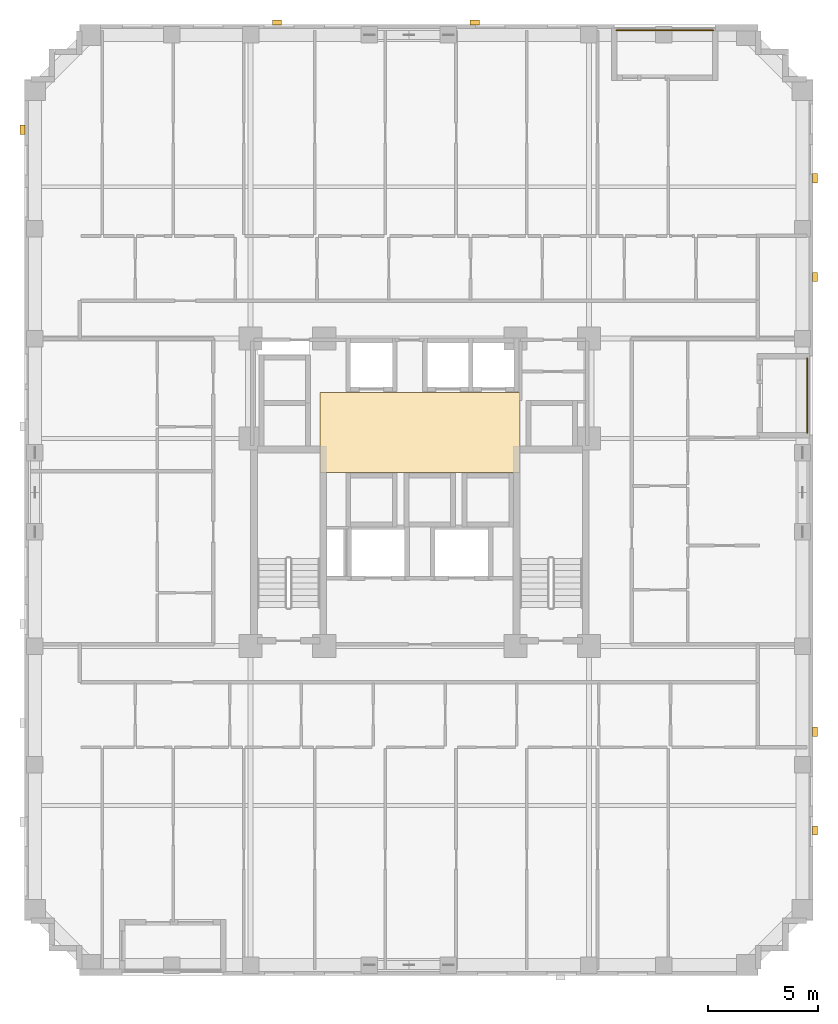
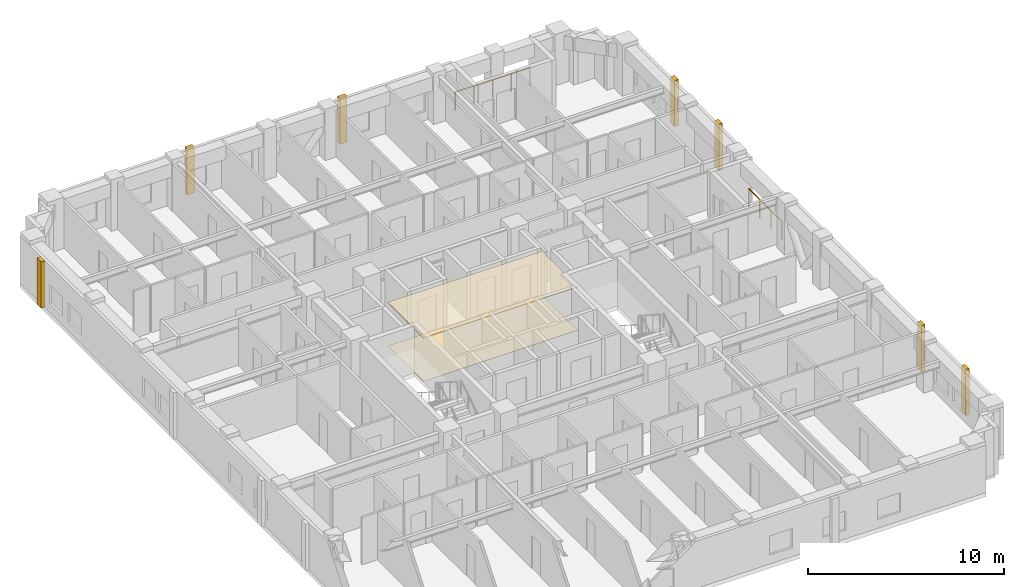
# One storey, part 13 of 13: 9 coverings, 2 railings.
"""IFC4 building model written with IfcOpenShell, lengths in metres."""

from ifc_helpers import new_model, si_unit, derived_unit, direction, frame, origin, origin_2d, place, context, subcontext, project, spatial, polyline, rectangle, circle, outline, extrude, material, layer, layer_set, type_object, element, save


model = new_model("IFC4")

# Units and contexts
model_context = context("Model", 3, precision=1e-05, world=origin(), true_north=direction((0.0, 1.0)))
body_context = subcontext(model_context, "Body", "Model", "MODEL_VIEW")
ifc_project = project(units=[si_unit("LENGTHUNIT", "METRE"), si_unit("AREAUNIT", "SQUARE_METRE"), si_unit("VOLUMEUNIT", "CUBIC_METRE"), si_unit("PLANEANGLEUNIT", "RADIAN"), si_unit("MASSUNIT", "GRAM", prefix="KILO"), derived_unit("THERMALTRANSMITTANCEUNIT", [(si_unit("MASSUNIT", "GRAM", prefix="KILO"), 1), (si_unit("TIMEUNIT", "SECOND"), -3), (si_unit("THERMODYNAMICTEMPERATUREUNIT", "KELVIN"), -1)])], contexts=[model_context])

# Site, building, storey
site_placement = place(None, origin())
site = spatial("IfcSite", under=ifc_project, at=site_placement, CompositionType="ELEMENT")
building_placement = place(site_placement, origin())
building = spatial("IfcBuilding", under=site, at=building_placement, Name="Korrvale Station Residences", CompositionType="ELEMENT")
storey_placement = place(building_placement, frame((0.0, 0.0, 97.5)))
storey = spatial("IfcBuildingStorey", under=building, at=storey_placement, Name="L27", CompositionType="ELEMENT", Elevation=97.5)

# Coverings
ifc_material_1 = material(Name="Perforated acoustic mineral-fibre suspended ceiling", Category="gypsum")
ifc_layer_1 = layer(ifc_material_1, 0.050048828125, Name="Perforated acoustic mineral-fibre suspended ceiling")
ifc_layer_set_1 = layer_set([ifc_layer_1], Name="Perforated acoustic mineral-fibre suspended ceiling")
covering_type_1 = type_object("IfcCoveringType", Name="COV-CLG-AC60", PredefinedType="CEILING", material=ifc_layer_set_1)
covering_1_placement = place(storey_placement, frame((0.0, 0.0, 2.68994140625)))
element("IfcCovering", 1, at=covering_1_placement, inside=storey, type_object=covering_type_1, Name="L27 Elevator Lobby Acoustic Ceiling", PredefinedType="CEILING", context=body_context, shape_type="SweptSolid", body=[
    extrude(outline(polyline([(20.949951171875, 22.89990234375), (30.050048828125, 22.89990234375), (30.050048828125, 26.550048828125), (20.949951171875, 26.550048828125), (20.949951171875, 22.89990234375)])), origin(), (0.0, 0.0, 1.0), 0.050048828125),
])
ifc_material_2 = material(Name="Polished quartz-terrazzo lobby flooring", Category="masonry")
ifc_layer_2 = layer(ifc_material_2, 0.02001953125, Name="Polished quartz-terrazzo lobby flooring")
ifc_layer_set_2 = layer_set([ifc_layer_2], Name="Polished quartz-terrazzo lobby flooring")
covering_type_2 = type_object("IfcCoveringType", Name="COV-FLR-TER20", PredefinedType="FLOORING", material=ifc_layer_set_2)
covering_2_placement = place(storey_placement, origin())
element("IfcCovering", 2, at=covering_2_placement, inside=storey, type_object=covering_type_2, Name="L27 Elevator Lobby Terrazzo Flooring", PredefinedType="FLOORING", context=body_context, shape_type="SweptSolid", body=[
    extrude(outline(polyline([(20.949951171875, 22.89990234375), (30.050048828125, 22.89990234375), (30.050048828125, 26.550048828125), (20.949951171875, 26.550048828125), (20.949951171875, 22.89990234375)])), origin(), (0.0, 0.0, 1.0), 0.02001953125),
])
ifc_material_3 = material(Name="Architectural precast concrete C45/55", Category="concrete")
ifc_layer_3 = layer(ifc_material_3, 0.219970703125, Name="Architectural precast concrete C45/55")
ifc_layer_set_3 = layer_set([ifc_layer_3], Name="Architectural precast concrete C45/55")
covering_type_3 = type_object("IfcCoveringType", Name="COV-PIER-400", PredefinedType="CLADDING", material=ifc_layer_set_3)
for number, where, z_axis, x_axis, name in (
    (3, (19.0, 43.389892578125, 0.02490234375), (0.0, 0.0, 1.0), (1.0, 0.0, 0.0), "L27 Architectural Precast Facade Pier 02"),
    (4, (28.0, 43.389892578125, 0.02490234375), (0.0, 0.0, 1.0), (1.0, 0.0, 0.0), "L27 Architectural Precast Facade Pier 03"),
    (5, (7.409912109375, 38.5, 0.02490234375), (0.0, 0.0, 1.0), (0.0, 1.0, 0.0), "L27 Architectural Precast Facade Pier 08"),
    (6, (43.489990234375, 36.300048828125, 0.02490234375), (0.0, 0.0, 1.0), (0.0, 1.0, 0.0), "L27 Architectural Precast Facade Pier 09"),
    (7, (43.489990234375, 31.800048828125, 0.02490234375), (0.0, 0.0, 1.0), (0.0, 1.0, 0.0), "L27 Architectural Precast Facade Pier 10"),
    (8, (43.489990234375, 11.10009765625, 0.02490234375), (0.0, 0.0, 1.0), (0.0, 1.0, 0.0), "L27 Architectural Precast Facade Pier 11"),
    (9, (43.489990234375, 6.60009765625, 0.02490234375), (0.0, 0.0, 1.0), (0.0, 1.0, 0.0), "L27 Architectural Precast Facade Pier 12"),
):
    element("IfcCovering", number, at=place(storey_placement, frame(where, z_axis=z_axis, x_axis=x_axis)), inside=storey, type_object=covering_type_3, Name=name, PredefinedType="CLADDING", context=body_context, shape_type="SweptSolid", body=[
        extrude(rectangle(XDim=0.419921875, YDim=0.219970703125, at=origin_2d()), origin(), (0.0, 0.0, 1.0), 2.889892578125),
    ])

# Railings
ifc_material_4 = material(Name="Powder-coated aluminium picket loggia guard", Category="aluminium")
railing_type = type_object("IfcRailingType", Name="RLG-BAL-1150", PredefinedType="GUARDRAIL", material=ifc_material_4)
railing_1_placement = place(storey_placement, frame((34.449951171875, 43.030029296875, 0.0)))
element("IfcRailing", 10, at=railing_1_placement, inside=storey, type_object=railing_type, Name="L27 Recessed Loggia Guardrail BAL-L27-N1", PredefinedType="GUARDRAIL", context=body_context, shape_type="SweptSolid", body=[
    extrude(circle(Radius=0.02392578125, at=origin_2d()), frame((0.0, 0.0, 1.1259765625), z_axis=(1.0, 0.0, 0.0), x_axis=(0.0, 1.0, 0.0)), (0.0, 0.0, 1.0), 4.400146484375),
    extrude(circle(Radius=0.02099609375, at=origin_2d()), origin(), (0.0, 0.0, 1.0), 1.101806640625),
    extrude(circle(Radius=0.02099609375, at=origin_2d()), frame((1.10009765625, 0.0, 0.0)), (0.0, 0.0, 1.0), 1.101806640625),
    extrude(circle(Radius=0.02099609375, at=origin_2d()), frame((2.2001953125, 0.0, 0.0)), (0.0, 0.0, 1.0), 1.101806640625),
    extrude(circle(Radius=0.02099609375, at=origin_2d()), frame((3.300048828125, 0.0, 0.0)), (0.0, 0.0, 1.0), 1.101806640625),
    extrude(circle(Radius=0.02099609375, at=origin_2d()), frame((4.400146484375, 0.0, 0.0)), (0.0, 0.0, 1.0), 1.101806640625),
])
railing_2_placement = place(storey_placement, frame((43.1298828125, 24.699951171875, 0.0)))
element("IfcRailing", 11, at=railing_2_placement, inside=storey, type_object=railing_type, Name="L27 Recessed Loggia Guardrail BAL-L27-E1", PredefinedType="GUARDRAIL", context=body_context, shape_type="SweptSolid", body=[
    extrude(circle(Radius=0.02392578125, at=origin_2d()), frame((0.0, 0.0, 1.1259765625), z_axis=(0.0, 1.0, 0.0), x_axis=(-1.0, 0.0, 0.0)), (0.0, 0.0, 1.0), 3.400146484375),
    extrude(circle(Radius=0.02099609375, at=origin_2d()), origin(), (0.0, 0.0, 1.0), 1.101806640625),
    extrude(circle(Radius=0.02099609375, at=origin_2d()), frame((0.0, 1.13330078125, 0.0)), (0.0, 0.0, 1.0), 1.101806640625),
    extrude(circle(Radius=0.02099609375, at=origin_2d()), frame((0.0, 2.266845703125, 0.0)), (0.0, 0.0, 1.0), 1.101806640625),
    extrude(circle(Radius=0.02099609375, at=origin_2d()), frame((0.0, 3.400146484375, 0.0)), (0.0, 0.0, 1.0), 1.101806640625),
])

save(model, "model.ifc")
